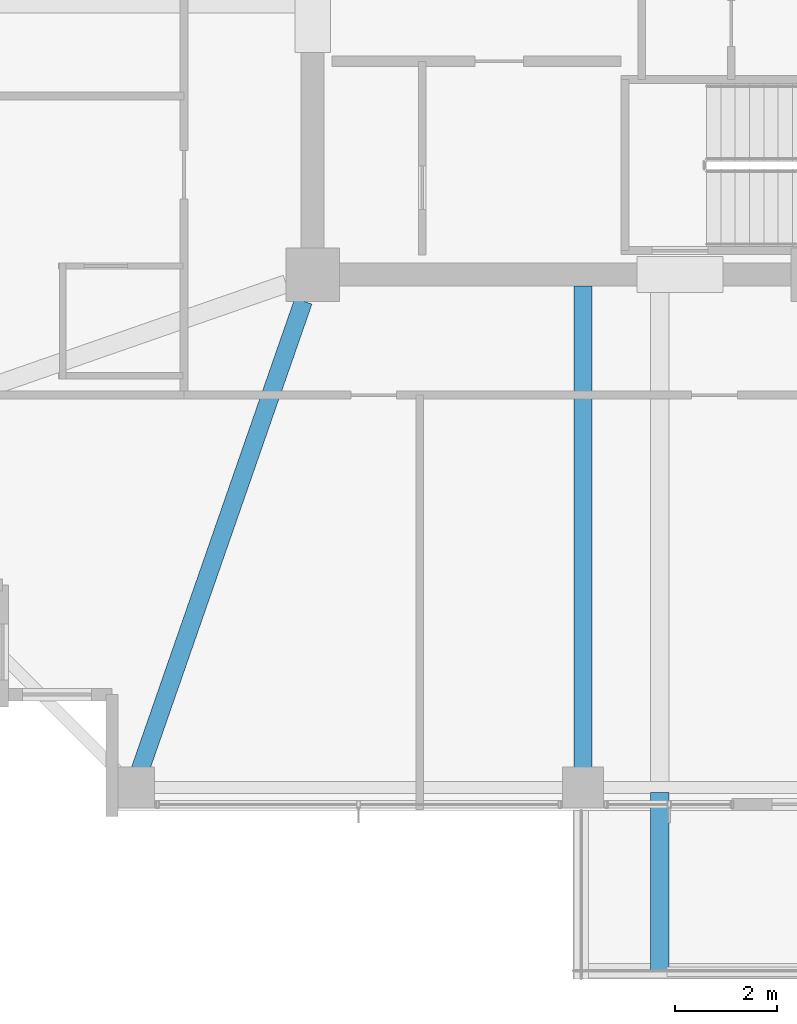
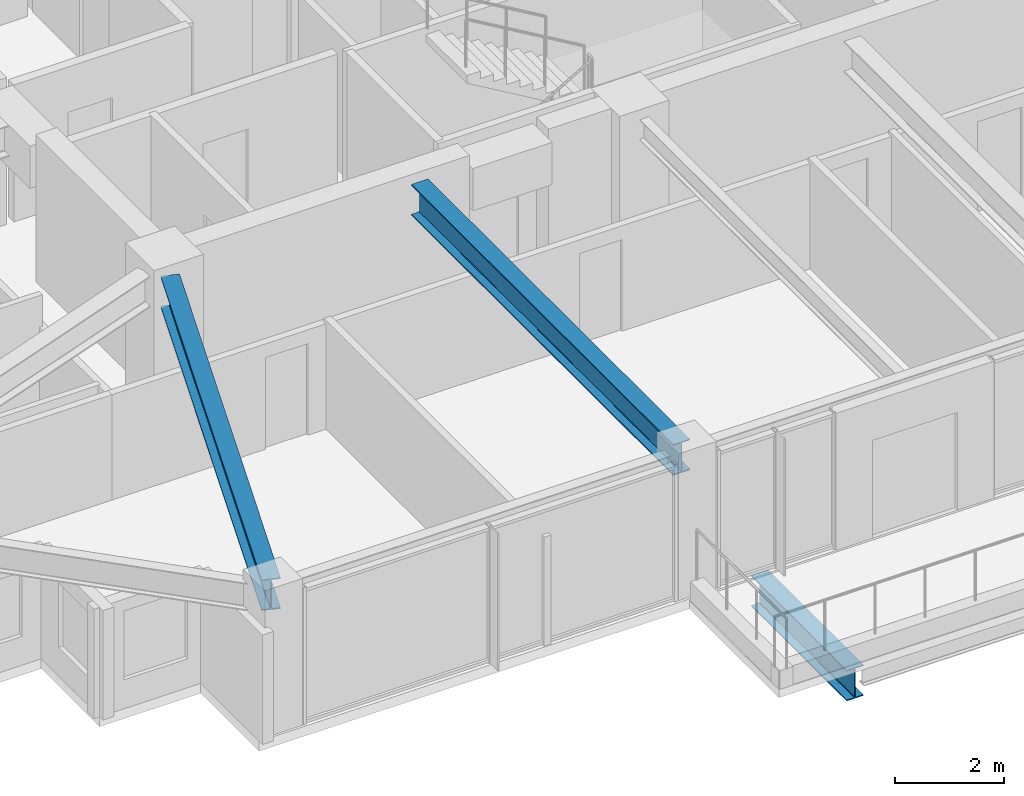
# One storey, part 5 of 36: 3 beams.
"""IFC4 building model written with IfcOpenShell, lengths in metres."""

import ifcopenshell
import ifcopenshell.guid

model = None  # the IFC model being written
_history = None  # IfcOwnerHistory: only IFC2X3 demands one
_inside = {}  # id of a spatial element -> (the spatial element, [elements in it])
_under = {}  # id of a project, library or spatial element -> (it, [spatial elements below it])
_declared = {}  # id of a project -> (the project, [libraries it declares])
_typed = {}  # id of a type object -> (the type object, [elements of that type])
_made_of = {}  # id of a material, layer set ... -> (it, [elements and type objects made of it])


def new_model(schema):
    """Start an empty IFC model of exactly this schema.

    Asked for "IFC4X3", IfcOpenShell would pick the latest addendum, in which some entities
    have other attributes; the version numbers below select the first issue.
    IFC2X3 requires an IfcOwnerHistory on every rooted entity: one is made here for all.
    """
    global model, _history
    if schema == "IFC4X3":
        model = ifcopenshell.file(schema_version=(4, 3, 0, 0))
    else:
        model = ifcopenshell.file(schema=schema)
    _inside.clear()
    _under.clear()
    _declared.clear()
    _typed.clear()
    _made_of.clear()
    _history = None
    if model.schema == "IFC2X3":
        org = make("IfcOrganization", Name="unknown")
        user = make(
            "IfcPersonAndOrganization",
            ThePerson=make("IfcPerson", FamilyName="unknown"),
            TheOrganization=org,
        )
        app = make(
            "IfcApplication",
            ApplicationDeveloper=org,
            Version="unknown",
            ApplicationFullName="unknown",
            ApplicationIdentifier="unknown",
        )
        _history = make(
            "IfcOwnerHistory",
            OwningUser=user,
            OwningApplication=app,
            ChangeAction="ADDED",
            CreationDate=0,
        )
    return model


def make(cls, **values):
    """One entity of the class cls with the attributes given. An attribute that is None is left unset."""
    return model.create_entity(
        cls, **{name: value for name, value in values.items() if value is not None}
    )


def rooted(cls, **values):
    """An entity with a GlobalId (a new one), such as an element, a storey or a relation."""
    return make(cls, GlobalId=ifcopenshell.guid.new(), OwnerHistory=_history, **values)


def si_unit(unit_type, name, prefix=None):
    """IfcSIUnit, for example si_unit("LENGTHUNIT", "METRE", prefix="MILLI")."""
    return make("IfcSIUnit", UnitType=unit_type, Prefix=prefix, Name=name)


def assignment(units):
    """IfcUnitAssignment: the units of a project."""
    return None if units is None else make("IfcUnitAssignment", Units=units)


def point(xyz):
    """IfcCartesianPoint."""
    return None if xyz is None else make("IfcCartesianPoint", Coordinates=xyz)


def direction(xyz):
    """IfcDirection."""
    return None if xyz is None else make("IfcDirection", DirectionRatios=xyz)


def frame(location, z_axis=None, x_axis=None):
    """IfcAxis2Placement3D, a coordinate frame: its origin and axes. An axis left out is left unset."""
    return make(
        "IfcAxis2Placement3D",
        Location=point(location),
        Axis=direction(z_axis),
        RefDirection=direction(x_axis),
    )


def frame_2d(location, x_axis=None):
    """IfcAxis2Placement2D, a coordinate frame in the plane: its origin and x axis."""
    return make(
        "IfcAxis2Placement2D", Location=point(location), RefDirection=direction(x_axis)
    )


def origin():
    """The frame at (0, 0, 0) with its axes left unset."""
    return frame((0.0, 0.0, 0.0))


def origin_2d():
    """The frame at (0, 0) in the plane with its x axis left unset."""
    return frame_2d((0.0, 0.0))


def place(relative_to, where):
    """IfcLocalPlacement: puts the frame where relative to a parent placement (None: the world)."""
    return make(
        "IfcLocalPlacement", PlacementRelTo=relative_to, RelativePlacement=where
    )


def context(
    kind, dimensions, precision=None, world=None, true_north=None, identifier=None
):
    """IfcGeometricRepresentationContext, for example the 3D "Model" context."""
    return make(
        "IfcGeometricRepresentationContext",
        ContextIdentifier=identifier,
        ContextType=kind,
        CoordinateSpaceDimension=dimensions,
        Precision=precision,
        WorldCoordinateSystem=world,
        TrueNorth=true_north,
    )


def subcontext(parent, identifier, kind, view, scale=None):
    """IfcGeometricRepresentationSubContext, for example "Body" below "Model"."""
    return make(
        "IfcGeometricRepresentationSubContext",
        ContextIdentifier=identifier,
        ContextType=kind,
        ParentContext=parent,
        TargetScale=scale,
        TargetView=view,
    )


def project(units=None, contexts=None):
    """IfcProject with its units and contexts."""
    return rooted(
        "IfcProject",
        Name="project",
        RepresentationContexts=contexts,
        UnitsInContext=assignment(units),
    )


def spatial(cls, under=None, at=None, **own):
    """A site, building, storey or space (cls), placed at a placement, below another one or the project."""
    s = rooted(cls, ObjectPlacement=at, **own)
    if under is not None:
        _under.setdefault(under.id(), (under, []))[1].append(s)
    return s


def profile(cls, at=None, kind="AREA", **sizes):
    """A parametric profile (cls). Its sizes go by their IFC names, for example OverallWidth=200.0."""
    return make(cls, ProfileType=kind, Position=at, **sizes)


def i_section(**sizes):
    """IfcIShapeProfileDef."""
    return profile("IfcIShapeProfileDef", **sizes)


def extrude(swept, where, along, depth):
    """IfcExtrudedAreaSolid: the profile swept, set in the frame where, extruded along a direction by depth."""
    return make(
        "IfcExtrudedAreaSolid",
        SweptArea=swept,
        Position=where,
        ExtrudedDirection=direction(along),
        Depth=depth,
    )


def shape(context_of_items, identifier, shape_type, items):
    """IfcShapeRepresentation: the items that make up one representation, for example the "Body"."""
    return make(
        "IfcShapeRepresentation",
        ContextOfItems=context_of_items,
        RepresentationIdentifier=identifier,
        RepresentationType=shape_type,
        Items=items,
    )


def material(Name=None, Category=None):
    """IfcMaterial."""
    return make("IfcMaterial", Name=Name, Category=Category)


def material_profile(
    of_material, cross_section, Name=None, Category=None, Priority=None
):
    """IfcMaterialProfile: a cross section and its material."""
    return make(
        "IfcMaterialProfile",
        Name=Name,
        Material=of_material,
        Profile=cross_section,
        Priority=Priority,
        Category=Category,
    )


def profile_set(profiles, Name=None, composite=None):
    """IfcMaterialProfileSet."""
    return make(
        "IfcMaterialProfileSet",
        Name=Name,
        MaterialProfiles=profiles,
        CompositeProfile=composite,
    )


def made_of(thing, what):
    """Note that an element or type object is made of a material, layer set ...; save() writes the relation."""
    if what is not None:
        _made_of.setdefault(what.id(), (what, []))[1].append(thing)
    return thing


def type_object(cls, material=None, **own):
    """A type object (cls), such as IfcWallType, which elements share."""
    return made_of(rooted(cls, **own), material)


def element(
    cls,
    number,
    at=None,
    inside=None,
    cuts=None,
    type_object=None,
    material=None,
    context=None,
    identifier="Body",
    shape_type=None,
    held_by="IfcProductDefinitionShape",
    body=None,
    shapes=None,
    **own,
):
    """One element of the class cls, such as IfcWall. Its Tag is "e" and its number.

    at: its placement. inside: the storey or other place that contains it. cuts: it is an
    opening in that element (IfcRelVoidsElement). A single representation is given by context,
    identifier, shape_type and body (its items); several are given by shapes. held_by: the class
    of the entity that holds the representations. save() writes the other relations.
    """
    e = rooted(cls, Tag="e%d" % number, ObjectPlacement=at, **own)
    if body is not None:
        shapes = [shape(context, identifier, shape_type, body)]
    if shapes is not None:
        e.Representation = make(held_by, Representations=shapes)
    if inside is not None:
        _inside.setdefault(inside.id(), (inside, []))[1].append(e)
    if cuts is not None:
        rooted(
            "IfcRelVoidsElement", RelatingBuildingElement=cuts, RelatedOpeningElement=e
        )
    if type_object is not None:
        _typed.setdefault(type_object.id(), (type_object, []))[1].append(e)
    return made_of(e, material)


def aggregate(whole, parts):
    """IfcRelAggregates: a whole, such as a stair, and the parts it consists of."""
    return rooted("IfcRelAggregates", RelatingObject=whole, RelatedObjects=parts)


def save(model, path):
    """Write the relations noted so far, then the file.

    IfcRelAggregates (storeys below a building ...), IfcRelContainedInSpatialStructure (elements
    in a storey), IfcRelDefinesByType, IfcRelAssociatesMaterial and IfcRelDeclares: one each for
    every whole, place, type object, material and project.
    """
    for whole, parts in _under.values():
        aggregate(whole, parts)
    for where, things in _inside.values():
        rooted(
            "IfcRelContainedInSpatialStructure",
            RelatedElements=things,
            RelatingStructure=where,
        )
    for kind, things in _typed.values():
        rooted("IfcRelDefinesByType", RelatedObjects=things, RelatingType=kind)
    for what, things in _made_of.values():
        rooted("IfcRelAssociatesMaterial", RelatedObjects=things, RelatingMaterial=what)
    for by, libraries in _declared.values():
        rooted("IfcRelDeclares", RelatingContext=by, RelatedDefinitions=libraries)
    model.write(path)


model = new_model("IFC4")

# Units and contexts
model_context = context("Model", 3, precision=1e-05, world=origin(), true_north=direction((0.0, 1.0)))
body_context = subcontext(model_context, "Body", "Model", "MODEL_VIEW")
ifc_project = project(units=[si_unit("LENGTHUNIT", "METRE"), si_unit("AREAUNIT", "SQUARE_METRE"), si_unit("VOLUMEUNIT", "CUBIC_METRE"), si_unit("PLANEANGLEUNIT", "RADIAN"), si_unit("MASSUNIT", "GRAM", prefix="KILO")], contexts=[model_context])

# Site, building, storey
site_placement = place(None, origin())
site = spatial("IfcSite", under=ifc_project, at=site_placement, CompositionType="ELEMENT")
building_placement = place(site_placement, origin())
building = spatial("IfcBuilding", under=site, at=building_placement, Name="Kolvaren Belvedere", CompositionType="ELEMENT")
storey_placement = place(building_placement, frame((0.0, 0.0, 226.199951171875)))
storey = spatial("IfcBuildingStorey", under=building, at=storey_placement, Name="L66", CompositionType="ELEMENT", Elevation=226.199951171875)

# Beams
ifc_material_1 = material(Name="Structural steel ASTM A992 Grade 50", Category="steel")
ifc_material_profile_1 = material_profile(ifc_material_1, i_section(OverallWidth=0.35498046875, OverallDepth=0.696044921875, WebThickness=0.015380859375, FlangeThickness=0.02490234375, FilletRadius=0.02197265625, at=origin_2d()), Name="W27X146")
ifc_profile_set_1 = profile_set([ifc_material_profile_1], Name="Structural steel ASTM A992 Grade 50")
beam_type_1 = type_object("IfcBeamType", Name="BM-CANT-BAL", PredefinedType="BEAM", material=ifc_profile_set_1)
beam_1_placement = place(storey_placement, frame((-3.10009765625, -20.044921875, -0.56787109375), z_axis=(0.0, -1.0, 0.0), x_axis=(1.0, 0.0, 0.0)))
element("IfcBeam", 1, at=beam_1_placement, inside=storey, type_object=beam_type_1, Name="L66 Planted Balcony Cantilever SPIRAL-10-S-1", PredefinedType="BEAM", context=body_context, shape_type="SweptSolid", body=[
    extrude(i_section(OverallWidth=0.35498046875, OverallDepth=0.696044921875, WebThickness=0.015380859375, FlangeThickness=0.02490234375, FilletRadius=0.02197265625, at=origin_2d()), origin(), (0.0, 0.0, 1.0), 3.51513671875),
])
ifc_material_2 = material(Name="Structural steel ASTM A992 Grade 50", Category="steel")
ifc_material_profile_2 = material_profile(ifc_material_2, i_section(OverallWidth=0.35498046875, OverallDepth=0.696044921875, WebThickness=0.015380859375, FlangeThickness=0.02490234375, FilletRadius=0.02197265625, at=origin_2d()), Name="W27X146")
ifc_profile_set_2 = profile_set([ifc_material_profile_2], Name="Structural steel ASTM A992 Grade 50")
beam_type_2 = type_object("IfcBeamType", Name="BM-GIRD-W27X146", PredefinedType="BEAM", material=ifc_profile_set_2)
beam_2_placement = place(storey_placement, frame((-4.60009765625, -10.125, 2.73193359375), z_axis=(0.0, -1.0, 0.0), x_axis=(1.0, 0.0, 0.0)))
element("IfcBeam", 2, at=beam_2_placement, inside=storey, type_object=beam_type_2, Name="L66 South Radial Girder M", PredefinedType="BEAM", context=body_context, shape_type="SweptSolid", body=[
    extrude(i_section(OverallWidth=0.35498046875, OverallDepth=0.696044921875, WebThickness=0.015380859375, FlangeThickness=0.02490234375, FilletRadius=0.02197265625, at=origin_2d()), origin(), (0.0, 0.0, 1.0), 9.64501953125),
])
beam_3_placement = place(storey_placement, frame((-10.080810546875, -10.41943359375, 2.73193359375), z_axis=(-0.328898147971, -0.944365399758, 0.0), x_axis=(0.944365399758, -0.328898147971, 0.0)))
element("IfcBeam", 3, at=beam_3_placement, inside=storey, type_object=beam_type_2, Name="L66 Corner Core-to-Perimeter Girder CC1-S1", PredefinedType="BEAM", context=body_context, shape_type="SweptSolid", body=[
    extrude(i_section(OverallWidth=0.35498046875, OverallDepth=0.696044921875, WebThickness=0.015380859375, FlangeThickness=0.02490234375, FilletRadius=0.02197265625, at=origin_2d()), origin(), (0.0, 0.0, 1.0), 9.931884765625),
])

save(model, "model.ifc")
